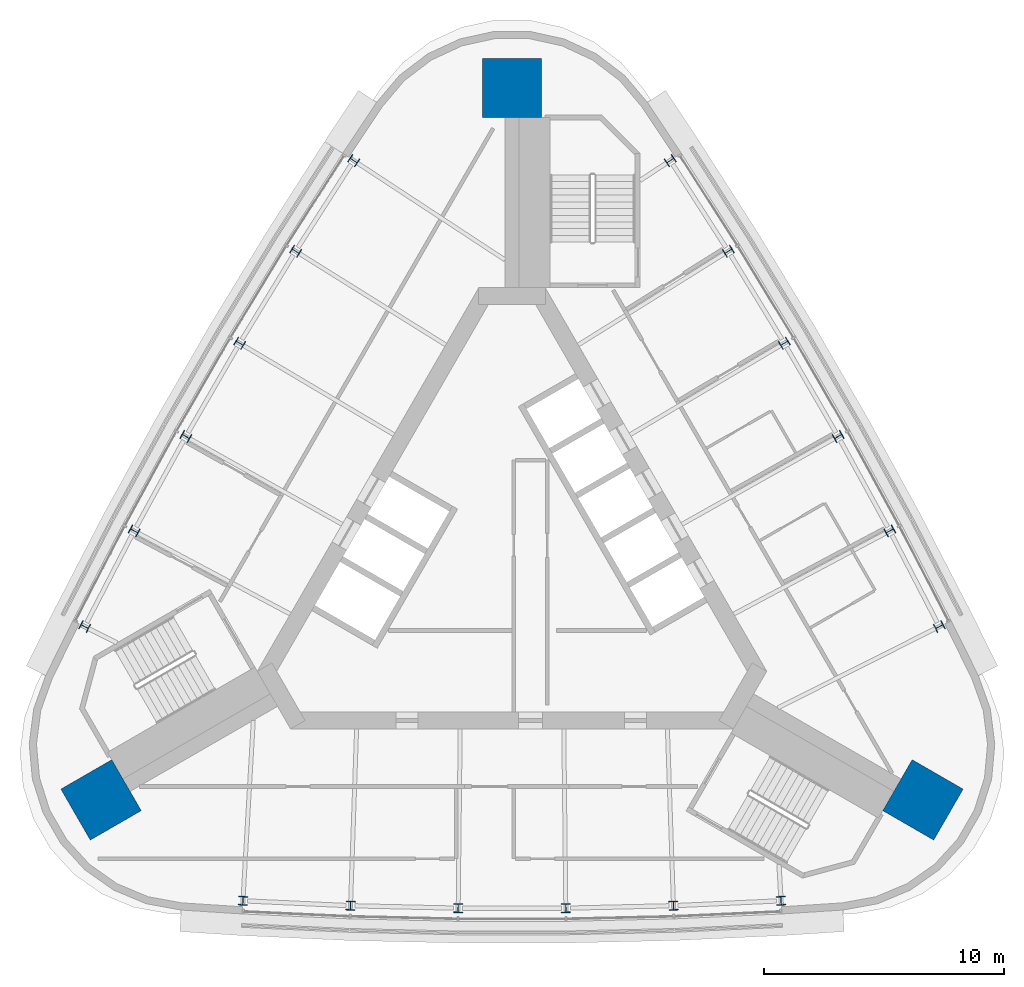
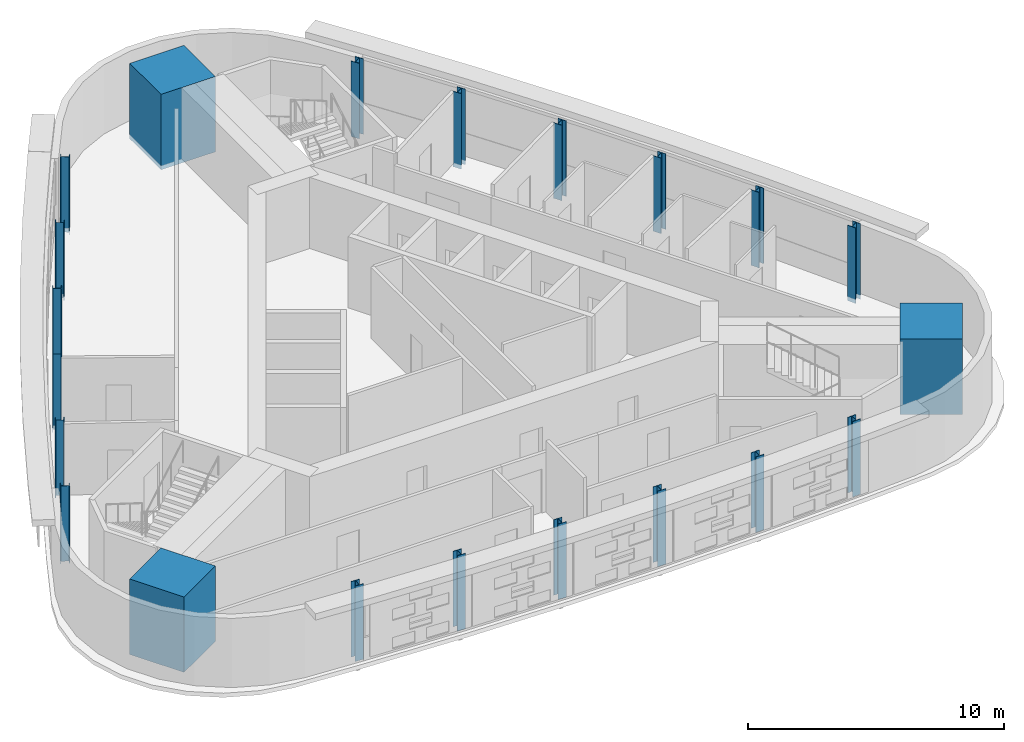
# One storey, part 1 of 10: 21 columns.
"""IFC4 building model written with IfcOpenShell, lengths in metres."""

from ifc_helpers import new_model, si_unit, direction, frame, origin, origin_2d, place, context, subcontext, project, spatial, rectangle, i_section, extrude, material, material_profile, profile_set, type_object, element, save


model = new_model("IFC4")

# Units and contexts
model_context = context("Model", 3, precision=1e-05, world=origin(), true_north=direction((0.0, 1.0)))
body_context = subcontext(model_context, "Body", "Model", "MODEL_VIEW")
ifc_project = project(units=[si_unit("LENGTHUNIT", "METRE"), si_unit("AREAUNIT", "SQUARE_METRE"), si_unit("VOLUMEUNIT", "CUBIC_METRE"), si_unit("PLANEANGLEUNIT", "RADIAN"), si_unit("MASSUNIT", "GRAM", prefix="KILO")], contexts=[model_context])

# Site, building, storey
site_placement = place(None, origin())
site = spatial("IfcSite", under=ifc_project, at=site_placement, CompositionType="ELEMENT")
building_placement = place(site_placement, origin())
building = spatial("IfcBuilding", under=site, at=building_placement, Name="Noor Cloister Tower", CompositionType="ELEMENT")
storey_placement = place(building_placement, frame((0.0, 0.0, 240.0)))
storey = spatial("IfcBuildingStorey", under=building, at=storey_placement, Name="L62", CompositionType="ELEMENT", Elevation=240.0)

# Columns
ifc_material_1 = material(Name="Steel ASTM A992 Gr 50", Category="steel")
ifc_material_profile_1 = material_profile(ifc_material_1, i_section(OverallWidth=0.373046875, OverallDepth=0.367919921875, WebThickness=0.014892578125, FlangeThickness=0.02392578125, FilletRadius=0.01513671875, at=origin_2d()), Name="W360x179")
ifc_profile_set_1 = profile_set([ifc_material_profile_1], Name="Steel ASTM A992 Gr 50")
column_type_1 = type_object("IfcColumnType", Name="Column W360x179", PredefinedType="COLUMN", material=ifc_profile_set_1)
for number, where, z_axis, x_axis, name in (
    (1, (-6.597412109375, 16.755859375, -0.199951171875), (0.0, 0.0, 1.0), (-0.5487897446, -0.835960415464, 0.0), "Column NW 01 L62"),
    (2, (-9.016845703125, 12.976806640625, -0.199951171875), (0.0, 0.0, 1.0), (-0.529481289862, -0.848321615713, 0.0), "Column NW 02 L62"),
    (3, (-11.348876953125, 9.14306640625, -0.199951171875), (0.0, 0.0, 1.0), (-0.509894531432, -0.860236924815, 0.0), "Column NW 03 L62"),
    (4, (-13.592529296875, 5.2568359375, -0.199951171875), (0.0, 0.0, 1.0), (-0.490039764448, -0.871700079878, 0.0), "Column NW 04 L62"),
    (5, (-15.74658203125, 1.3203125, -0.199951171875), (0.0, 0.0, 1.0), (-0.469927424856, -0.882705055705, 0.0), "Column NW 05 L62"),
    (6, (-17.809814453125, -2.66455078125, -0.199951171875), (0.0, 0.0, 1.0), (-0.44956808405, -0.893246067892, 0.0), "Column NW 06 L62"),
    (7, (-11.21240234375, -14.091552734375, -0.199951171875), (0.0, 0.0, 1.0), (0.99835782865, -0.057285652428, 0.0), "Column S 01 L62"),
    (8, (-6.729736328125, -14.297119140625, -0.199951171875), (0.0, 0.0, 1.0), (0.999408714718, -0.034383439992, 0.0), "Column S 02 L62"),
    (9, (-2.24365234375, -14.39990234375, -0.199951171875), (0.0, 0.0, 1.0), (0.999934295879, -0.011463155063, 0.0), "Column S 03 L62"),
    (10, (2.24365234375, -14.39990234375, -0.199951171875), (0.0, 0.0, 1.0), (0.999934295879, 0.011463155063, 0.0), "Column S 04 L62"),
    (11, (6.729736328125, -14.297119140625, -0.199951171875), (0.0, 0.0, 1.0), (0.999408714718, 0.034383439992, 0.0), "Column S 05 L62"),
    (12, (11.21240234375, -14.091552734375, -0.199951171875), (0.0, 0.0, 1.0), (0.99835782865, 0.057285652428, 0.0), "Column S 06 L62"),
    (13, (17.809814453125, -2.66455078125, -0.199951171875), (0.0, 0.0, 1.0), (-0.44956808405, 0.893246067892, 0.0), "Column NE 01 L62"),
    (14, (15.74658203125, 1.3203125, -0.199951171875), (0.0, 0.0, 1.0), (-0.469927424856, 0.882705055705, 0.0), "Column NE 02 L62"),
    (15, (13.592529296875, 5.2568359375, -0.199951171875), (0.0, 0.0, 1.0), (-0.490039764448, 0.871700079878, 0.0), "Column NE 03 L62"),
    (16, (11.348876953125, 9.14306640625, -0.199951171875), (0.0, 0.0, 1.0), (-0.509894531432, 0.860236924815, 0.0), "Column NE 04 L62"),
    (17, (9.016845703125, 12.976806640625, -0.199951171875), (0.0, 0.0, 1.0), (-0.529481289862, 0.848321615713, 0.0), "Column NE 05 L62"),
    (18, (6.597412109375, 16.755859375, -0.199951171875), (0.0, 0.0, 1.0), (-0.5487897446, 0.835960415464, 0.0), "Column NE 06 L62"),
):
    element("IfcColumn", number, at=place(storey_placement, frame(where, z_axis=z_axis, x_axis=x_axis)), inside=storey, type_object=column_type_1, Name=name, PredefinedType="COLUMN", context=body_context, shape_type="SweptSolid", body=[
        extrude(i_section(OverallWidth=0.373046875, OverallDepth=0.367919921875, WebThickness=0.014892578125, FlangeThickness=0.02392578125, FilletRadius=0.01513671875, at=origin_2d()), origin(), (0.0, 0.0, 1.0), 3.599853515625),
    ])
ifc_material_2 = material(Name="Concrete C60/75", Category="concrete")
ifc_material_profile_2 = material_profile(ifc_material_2, rectangle(XDim=2.449951171875, YDim=2.449951171875, at=origin_2d()), Name="RC 2450x2450")
ifc_profile_set_2 = profile_set([ifc_material_profile_2], Name="Concrete C60/75")
column_type_2 = type_object("IfcColumnType", Name="Corner pier 2450 x 2450 C60/75", PredefinedType="COLUMN", material=ifc_profile_set_2)
for number, where, z_axis, x_axis, name in (
    (19, (0.0, 19.77490234375, -0.199951171875), (0.0, 0.0, 1.0), (0.0, 1.0, 0.0), "Corner pier N L62"),
    (20, (-17.125732421875, -9.887451171875, -0.199951171875), (0.0, 0.0, 1.0), (-0.866025403784, -0.5, 0.0), "Corner pier SW L62"),
    (21, (17.125732421875, -9.887451171875, -0.199951171875), (0.0, 0.0, 1.0), (0.866025403784, -0.5, 0.0), "Corner pier SE L62"),
):
    element("IfcColumn", number, at=place(storey_placement, frame(where, z_axis=z_axis, x_axis=x_axis)), inside=storey, type_object=column_type_2, Name=name, PredefinedType="COLUMN", context=body_context, shape_type="SweptSolid", body=[
        extrude(rectangle(XDim=2.449951171875, YDim=2.449951171875, at=origin_2d()), origin(), (0.0, 0.0, 1.0), 3.599853515625),
    ])

save(model, "model.ifc")
